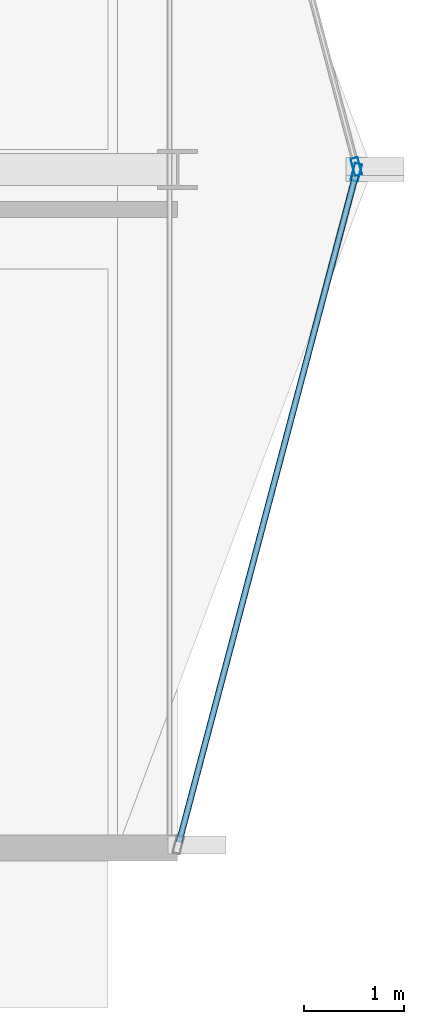
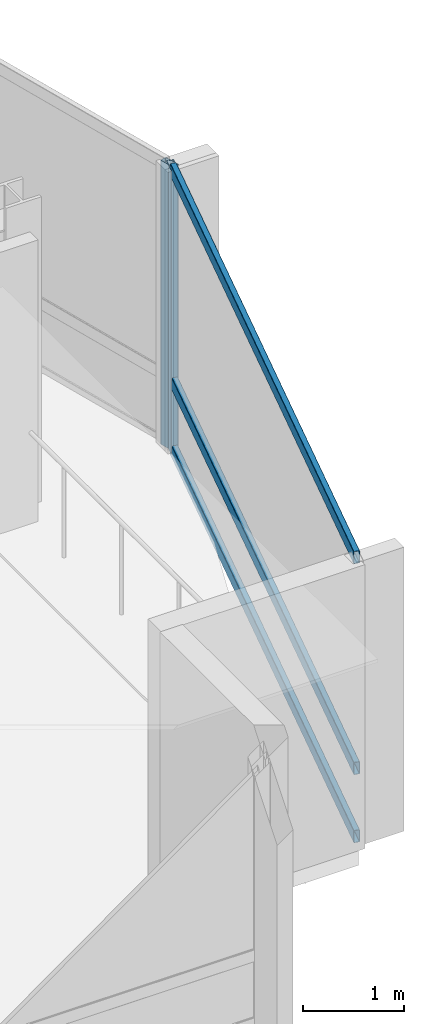
# One storey, part 11 of 27: 5 members, 2 elements without a shape of their own.
"""IFC4 building model written with IfcOpenShell, lengths in metres."""

from ifc_helpers import new_model, si_unit, direction, frame, origin, origin_2d, place, context, subcontext, project, spatial, hollow_rectangle, extrude, material, layer, layer_set, material_profile, profile_set, type_object, element, aggregate, save


model = new_model("IFC4")

# Units and contexts
model_context = context("Model", 3, precision=1e-05, world=origin(), true_north=direction((0.0, 1.0)))
body_context = subcontext(model_context, "Body", "Model", "MODEL_VIEW")
ifc_project = project(units=[si_unit("LENGTHUNIT", "METRE"), si_unit("AREAUNIT", "SQUARE_METRE"), si_unit("VOLUMEUNIT", "CUBIC_METRE"), si_unit("PLANEANGLEUNIT", "RADIAN"), si_unit("MASSUNIT", "GRAM", prefix="KILO")], contexts=[model_context])

# Site, building, storey
site_placement = place(None, origin())
site = spatial("IfcSite", under=ifc_project, at=site_placement, CompositionType="ELEMENT")
building_placement = place(site_placement, origin())
building = spatial("IfcBuilding", under=site, at=building_placement, Name="Solvaryn Broadcast Tower", CompositionType="ELEMENT")
storey_placement = place(building_placement, frame((0.0, 0.0, 228.39990234375)))
storey = spatial("IfcBuildingStorey", under=building, at=storey_placement, Name="L57", CompositionType="ELEMENT", Elevation=228.39990234375)

# Curtain wall, member
ifc_material_1 = material(Name="Aluminium and Terracotta Unitised Curtain Wall", Category="masonry")
ifc_layer = layer(ifc_material_1, 0.199951171875)
ifc_layer_set = layer_set([ifc_layer], Name="CW-SYS2-LOWMID")
curtain_wall_type = type_object("IfcCurtainWallType", Name="CW-SYS2-LOWMID", PredefinedType="NOTDEFINED", material=ifc_layer_set)
curtain_wall_1_placement = place(storey_placement, origin())
curtain_wall_1 = element("IfcCurtainWall", 1, at=curtain_wall_1_placement, inside=storey, type_object=curtain_wall_type, Name="L57 Curtain Wall ET1", PredefinedType="NOTDEFINED")
ifc_material_2 = material(Name="Anodised Aluminium 6063-T6", Category="aluminium")
ifc_material_profile_1 = material_profile(ifc_material_2, hollow_rectangle(XDim=0.074951171875, YDim=0.179931640625, WallThickness=0.00390625, InnerFilletRadius=0.00390625, OuterFilletRadius=0.008056640625, at=origin_2d()))
ifc_profile_set_1 = profile_set([ifc_material_profile_1], Name="Anodised Aluminium 6063-T6")
member_type_1 = type_object("IfcMemberType", Name="CW-MUL-180", PredefinedType="MULLION", material=ifc_profile_set_1)
member_1_placement = place(storey_placement, frame((55.792236328125, 18.029052734375, 0.0), z_axis=(0.0, 0.0, 1.0), x_axis=(0.966705227863, 0.25589256031, 0.0)))
member_1 = element("IfcMember", 2, at=member_1_placement, type_object=member_type_1, Name="CWS2 mullion 2", PredefinedType="MULLION", context=body_context, shape_type="SweptSolid", body=[
    extrude(hollow_rectangle(XDim=0.074951171875, YDim=0.179931640625, WallThickness=0.00390625, InnerFilletRadius=0.00390625, OuterFilletRadius=0.008056640625, at=origin_2d()), origin(), (0.0, 0.0, 1.0), 3.420166015625),
])
aggregate(curtain_wall_1, [member_1])

# Curtain wall, members
curtain_wall_2_placement = place(storey_placement, origin())
curtain_wall_2 = element("IfcCurtainWall", 3, at=curtain_wall_2_placement, inside=storey, type_object=curtain_wall_type, Name="L57 Curtain Wall ET2", PredefinedType="NOTDEFINED")
member_2_placement = place(storey_placement, frame((55.792236328125, 17.970947265625, 0.0), z_axis=(0.0, 0.0, 1.0), x_axis=(0.966705227863, -0.25589256031, 0.0)))
member_2 = element("IfcMember", 4, at=member_2_placement, type_object=member_type_1, Name="CWS2 mullion 1", PredefinedType="MULLION", context=body_context, shape_type="SweptSolid", body=[
    extrude(hollow_rectangle(XDim=0.074951171875, YDim=0.179931640625, WallThickness=0.00390625, InnerFilletRadius=0.00390625, OuterFilletRadius=0.008056640625, at=origin_2d()), origin(), (0.0, 0.0, 1.0), 3.420166015625),
])
ifc_material_3 = material(Name="Anodised Aluminium 6063-T6", Category="aluminium")
ifc_material_profile_2 = material_profile(ifc_material_3, hollow_rectangle(XDim=0.06494140625, YDim=0.14990234375, WallThickness=0.00390625, InnerFilletRadius=0.00390625, OuterFilletRadius=0.008056640625, at=origin_2d()))
ifc_profile_set_2 = profile_set([ifc_material_profile_2], Name="Anodised Aluminium 6063-T6")
member_type_2 = type_object("IfcMemberType", Name="CW-TRN-150", PredefinedType="USERDEFINED", material=ifc_profile_set_2)
member_3_placement = place(storey_placement, frame((55.78466796875, 17.94189453125, 0.030029296875), z_axis=(-0.255897413051, -0.966703943301, 0.0), x_axis=(0.966703943301, -0.255897413051, 0.0)))
member_3 = element("IfcMember", 5, at=member_3_placement, type_object=member_type_2, Name="CWS2 transom 1.1", ObjectType="TRANSOM", PredefinedType="USERDEFINED", context=body_context, shape_type="SweptSolid", body=[
    extrude(hollow_rectangle(XDim=0.06494140625, YDim=0.14990234375, WallThickness=0.00390625, InnerFilletRadius=0.00390625, OuterFilletRadius=0.008056640625, at=origin_2d()), origin(), (0.0, 0.0, 1.0), 6.9140625),
])
member_4_placement = place(storey_placement, frame((55.78466796875, 17.94189453125, 0.85009765625), z_axis=(-0.255897413051, -0.966703943301, 0.0), x_axis=(0.966703943301, -0.255897413051, 0.0)))
member_4 = element("IfcMember", 6, at=member_4_placement, type_object=member_type_2, Name="CWS2 transom 1.2", ObjectType="TRANSOM", PredefinedType="USERDEFINED", context=body_context, shape_type="SweptSolid", body=[
    extrude(hollow_rectangle(XDim=0.06494140625, YDim=0.14990234375, WallThickness=0.00390625, InnerFilletRadius=0.00390625, OuterFilletRadius=0.008056640625, at=origin_2d()), origin(), (0.0, 0.0, 1.0), 6.9140625),
])
member_5_placement = place(storey_placement, frame((55.78466796875, 17.94189453125, 3.39013671875), z_axis=(-0.255897413051, -0.966703943301, 0.0), x_axis=(0.966703943301, -0.255897413051, 0.0)))
member_5 = element("IfcMember", 7, at=member_5_placement, type_object=member_type_2, Name="CWS2 transom 1.3", ObjectType="TRANSOM", PredefinedType="USERDEFINED", context=body_context, shape_type="SweptSolid", body=[
    extrude(hollow_rectangle(XDim=0.06494140625, YDim=0.14990234375, WallThickness=0.00390625, InnerFilletRadius=0.00390625, OuterFilletRadius=0.008056640625, at=origin_2d()), origin(), (0.0, 0.0, 1.0), 6.9140625),
])
aggregate(curtain_wall_2, [member_2, member_3, member_4, member_5])

save(model, "model.ifc")
